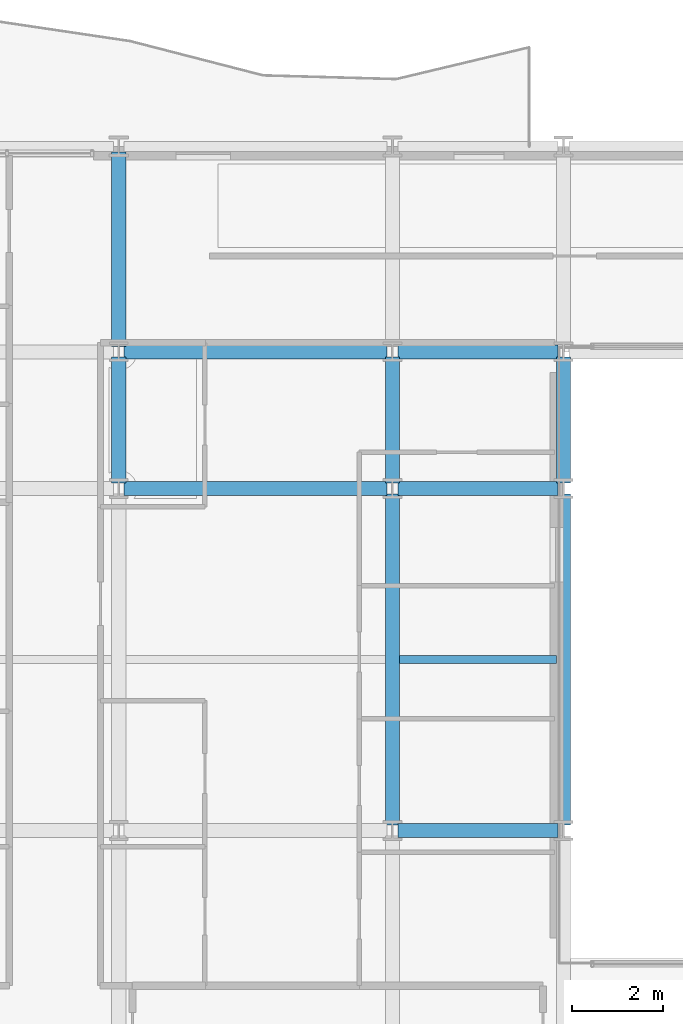
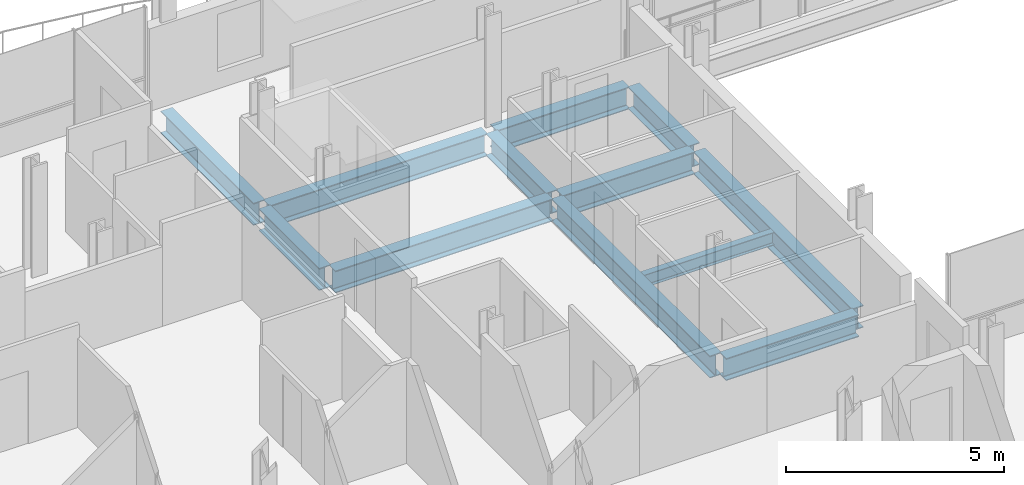
# One storey, part 8 of 41: 12 beams.
"""IFC4 building model written with IfcOpenShell, lengths in metres."""

from ifc_helpers import new_model, si_unit, direction, frame, origin, origin_2d, place, context, subcontext, project, spatial, i_section, extrude, material, material_profile, profile_set, type_object, element, save


model = new_model("IFC4")

# Units and contexts
model_context = context("Model", 3, precision=1e-05, world=origin(), true_north=direction((0.0, 1.0)))
body_context = subcontext(model_context, "Body", "Model", "MODEL_VIEW")
ifc_project = project(units=[si_unit("LENGTHUNIT", "METRE"), si_unit("AREAUNIT", "SQUARE_METRE"), si_unit("VOLUMEUNIT", "CUBIC_METRE"), si_unit("PLANEANGLEUNIT", "RADIAN"), si_unit("MASSUNIT", "GRAM", prefix="KILO")], contexts=[model_context])

# Site, building, storey
site_placement = place(None, origin())
site = spatial("IfcSite", under=ifc_project, at=site_placement, CompositionType="ELEMENT")
building_placement = place(site_placement, origin())
building = spatial("IfcBuilding", under=site, at=building_placement, Name="Brevholm Reach", CompositionType="ELEMENT")
storey_placement = place(building_placement, frame((0.0, 0.0, 68.300048828125)))
storey = spatial("IfcBuildingStorey", under=building, at=storey_placement, Name="L19", CompositionType="ELEMENT", Elevation=68.300048828125)

# Beams
ifc_material_1 = material(Name="Structural Steel S355J2", Category="steel")
ifc_material_profile_1 = material_profile(ifc_material_1, i_section(OverallWidth=0.17138671875, OverallDepth=0.35498046875, WebThickness=0.00732421875, FlangeThickness=0.011474609375, FilletRadius=0.01025390625, at=origin_2d()), Name="UKB 356x171x51")
ifc_profile_set_1 = profile_set([ifc_material_profile_1], Name="Structural Steel S355J2")
beam_type_1 = type_object("IfcBeamType", Name="BM-B356", PredefinedType="BEAM", material=ifc_profile_set_1)
beam_1_placement = place(storey_placement, frame((18.153564453125, 19.75, -0.407470703125), z_axis=(1.0, 0.0, 0.0), x_axis=(0.0, 1.0, 0.0)))
element("IfcBeam", 1, at=beam_1_placement, inside=storey, type_object=beam_type_1, Name="L19 Composite Secondary Floor Beam", PredefinedType="BEAM", context=body_context, shape_type="SweptSolid", body=[
    extrude(i_section(OverallWidth=0.17138671875, OverallDepth=0.35498046875, WebThickness=0.00732421875, FlangeThickness=0.011474609375, FilletRadius=0.01025390625, at=origin_2d()), origin(), (0.0, 0.0, 1.0), 3.44287109375),
])
ifc_material_2 = material(Name="Structural Steel S355J2", Category="steel")
ifc_material_profile_2 = material_profile(ifc_material_2, i_section(OverallWidth=0.30712890625, OverallDepth=0.6201171875, WebThickness=0.01416015625, FlangeThickness=0.023681640625, FilletRadius=0.0166015625, at=origin_2d()), Name="UKB 610x305x179")
ifc_profile_set_2 = profile_set([ifc_material_profile_2], Name="Structural Steel S355J2")
beam_type_2 = type_object("IfcBeamType", Name="BM-UKB610H", PredefinedType="USERDEFINED", material=ifc_profile_set_2)
beam_2_placement = place(storey_placement, frame((18.1201171875, 16.0, -0.5400390625), z_axis=(1.0, 0.0, 0.0), x_axis=(0.0, 1.0, 0.0)))
element("IfcBeam", 2, at=beam_2_placement, inside=storey, type_object=beam_type_2, Name="L19 G-06 Framing Beam", ObjectType="GIRDER", PredefinedType="USERDEFINED", context=body_context, shape_type="SweptSolid", body=[
    extrude(i_section(OverallWidth=0.30712890625, OverallDepth=0.6201171875, WebThickness=0.01416015625, FlangeThickness=0.023681640625, FilletRadius=0.0166015625, at=origin_2d()), origin(), (0.0, 0.0, 1.0), 3.509765625),
])
beam_3_placement = place(storey_placement, frame((12.1201171875, 23.5, -0.5400390625), z_axis=(1.0, 0.0, 0.0), x_axis=(0.0, 1.0, 0.0)))
element("IfcBeam", 3, at=beam_3_placement, inside=storey, type_object=beam_type_2, Name="L19 G-06 Framing Beam", ObjectType="GIRDER", PredefinedType="USERDEFINED", context=body_context, shape_type="SweptSolid", body=[
    extrude(i_section(OverallWidth=0.30712890625, OverallDepth=0.6201171875, WebThickness=0.01416015625, FlangeThickness=0.023681640625, FilletRadius=0.0166015625, at=origin_2d()), origin(), (0.0, 0.0, 1.0), 5.759765625),
])
beam_4_placement = place(storey_placement, frame((18.1201171875, 23.5, -0.5400390625), z_axis=(1.0, 0.0, 0.0), x_axis=(0.0, 1.0, 0.0)))
element("IfcBeam", 4, at=beam_4_placement, inside=storey, type_object=beam_type_2, Name="L19 G-06 Framing Beam", ObjectType="GIRDER", PredefinedType="USERDEFINED", context=body_context, shape_type="SweptSolid", body=[
    extrude(i_section(OverallWidth=0.30712890625, OverallDepth=0.6201171875, WebThickness=0.01416015625, FlangeThickness=0.023681640625, FilletRadius=0.0166015625, at=origin_2d()), origin(), (0.0, 0.0, 1.0), 3.509765625),
])
beam_5_placement = place(storey_placement, frame((12.1201171875, 26.5, -0.5400390625), z_axis=(1.0, 0.0, 0.0), x_axis=(0.0, 1.0, 0.0)))
element("IfcBeam", 5, at=beam_5_placement, inside=storey, type_object=beam_type_2, Name="L19 G-06 Framing Beam", ObjectType="GIRDER", PredefinedType="USERDEFINED", context=body_context, shape_type="SweptSolid", body=[
    extrude(i_section(OverallWidth=0.30712890625, OverallDepth=0.6201171875, WebThickness=0.01416015625, FlangeThickness=0.023681640625, FilletRadius=0.0166015625, at=origin_2d()), origin(), (0.0, 0.0, 1.0), 5.759765625),
])
beam_6_placement = place(storey_placement, frame((18.1201171875, 26.5, -0.5400390625), z_axis=(1.0, 0.0, 0.0), x_axis=(0.0, 1.0, 0.0)))
element("IfcBeam", 6, at=beam_6_placement, inside=storey, type_object=beam_type_2, Name="L19 G-06 Framing Beam", ObjectType="GIRDER", PredefinedType="USERDEFINED", context=body_context, shape_type="SweptSolid", body=[
    extrude(i_section(OverallWidth=0.30712890625, OverallDepth=0.6201171875, WebThickness=0.01416015625, FlangeThickness=0.023681640625, FilletRadius=0.0166015625, at=origin_2d()), origin(), (0.0, 0.0, 1.0), 3.509765625),
])
beam_7_placement = place(storey_placement, frame((12.0, 23.6201171875, -0.5400390625), z_axis=(0.0, 1.0, 0.0), x_axis=(-1.0, 0.0, 0.0)))
element("IfcBeam", 7, at=beam_7_placement, inside=storey, type_object=beam_type_2, Name="L19 G-06 Framing Beam", ObjectType="GIRDER", PredefinedType="USERDEFINED", context=body_context, shape_type="SweptSolid", body=[
    extrude(i_section(OverallWidth=0.30712890625, OverallDepth=0.6201171875, WebThickness=0.01416015625, FlangeThickness=0.023681640625, FilletRadius=0.0166015625, at=origin_2d()), origin(), (0.0, 0.0, 1.0), 2.759765625),
])
beam_8_placement = place(storey_placement, frame((12.0, 26.6201171875, -0.5400390625), z_axis=(0.0, 1.0, 0.0), x_axis=(-1.0, 0.0, 0.0)))
element("IfcBeam", 8, at=beam_8_placement, inside=storey, type_object=beam_type_2, Name="L19 G-06 Framing Beam", ObjectType="GIRDER", PredefinedType="USERDEFINED", context=body_context, shape_type="SweptSolid", body=[
    extrude(i_section(OverallWidth=0.30712890625, OverallDepth=0.6201171875, WebThickness=0.01416015625, FlangeThickness=0.023681640625, FilletRadius=0.0166015625, at=origin_2d()), origin(), (0.0, 0.0, 1.0), 4.259765625),
])
beam_9_placement = place(storey_placement, frame((18.0, 16.1201171875, -0.5400390625), z_axis=(0.0, 1.0, 0.0), x_axis=(-1.0, 0.0, 0.0)))
element("IfcBeam", 9, at=beam_9_placement, inside=storey, type_object=beam_type_2, Name="L19 G-06 Framing Beam", ObjectType="GIRDER", PredefinedType="USERDEFINED", context=body_context, shape_type="SweptSolid", body=[
    extrude(i_section(OverallWidth=0.30712890625, OverallDepth=0.6201171875, WebThickness=0.01416015625, FlangeThickness=0.023681640625, FilletRadius=0.0166015625, at=origin_2d()), origin(), (0.0, 0.0, 1.0), 7.259765625),
])
beam_10_placement = place(storey_placement, frame((18.0, 23.6201171875, -0.5400390625), z_axis=(0.0, 1.0, 0.0), x_axis=(-1.0, 0.0, 0.0)))
element("IfcBeam", 10, at=beam_10_placement, inside=storey, type_object=beam_type_2, Name="L19 G-06 Framing Beam", ObjectType="GIRDER", PredefinedType="USERDEFINED", context=body_context, shape_type="SweptSolid", body=[
    extrude(i_section(OverallWidth=0.30712890625, OverallDepth=0.6201171875, WebThickness=0.01416015625, FlangeThickness=0.023681640625, FilletRadius=0.0166015625, at=origin_2d()), origin(), (0.0, 0.0, 1.0), 2.759765625),
])
beam_11_placement = place(storey_placement, frame((21.75, 16.1201171875, -0.5400390625), z_axis=(0.0, 1.0, 0.0), x_axis=(-1.0, 0.0, 0.0)))
element("IfcBeam", 11, at=beam_11_placement, inside=storey, type_object=beam_type_2, Name="L19 G-06 Framing Beam", ObjectType="GIRDER", PredefinedType="USERDEFINED", context=body_context, shape_type="SweptSolid", body=[
    extrude(i_section(OverallWidth=0.30712890625, OverallDepth=0.6201171875, WebThickness=0.01416015625, FlangeThickness=0.023681640625, FilletRadius=0.0166015625, at=origin_2d()), origin(), (0.0, 0.0, 1.0), 7.259765625),
])
beam_12_placement = place(storey_placement, frame((21.75, 23.6201171875, -0.5400390625), z_axis=(0.0, 1.0, 0.0), x_axis=(-1.0, 0.0, 0.0)))
element("IfcBeam", 12, at=beam_12_placement, inside=storey, type_object=beam_type_2, Name="L19 G-06 Framing Beam", ObjectType="GIRDER", PredefinedType="USERDEFINED", context=body_context, shape_type="SweptSolid", body=[
    extrude(i_section(OverallWidth=0.30712890625, OverallDepth=0.6201171875, WebThickness=0.01416015625, FlangeThickness=0.023681640625, FilletRadius=0.0166015625, at=origin_2d()), origin(), (0.0, 0.0, 1.0), 2.759765625),
])

save(model, "model.ifc")
